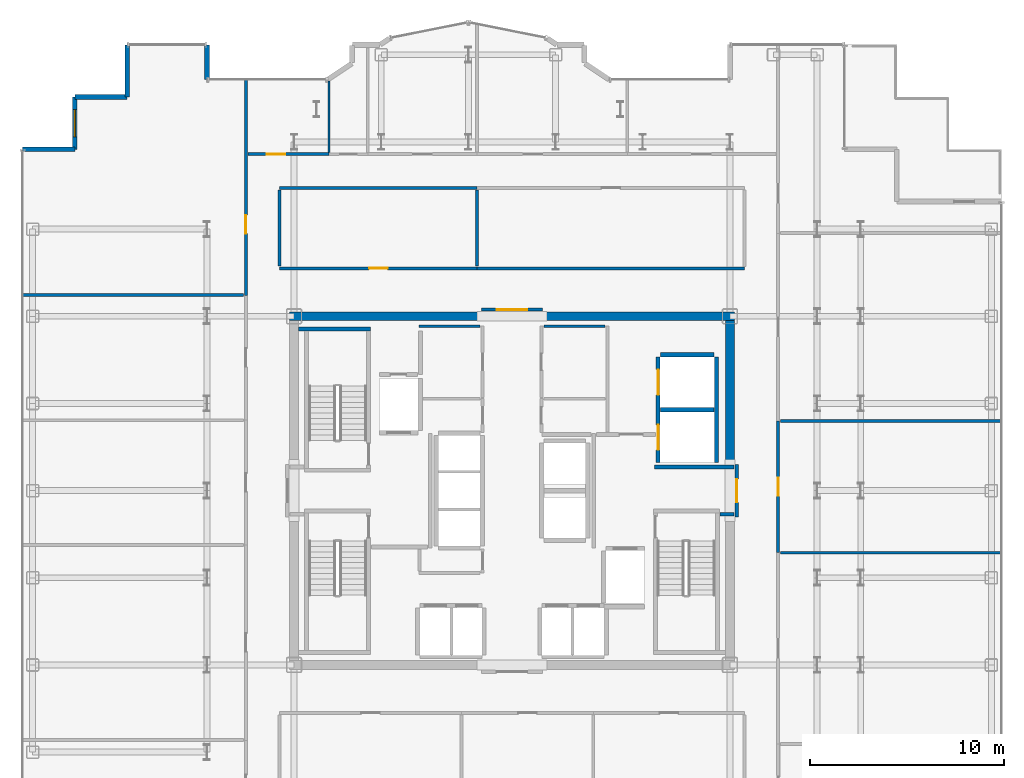
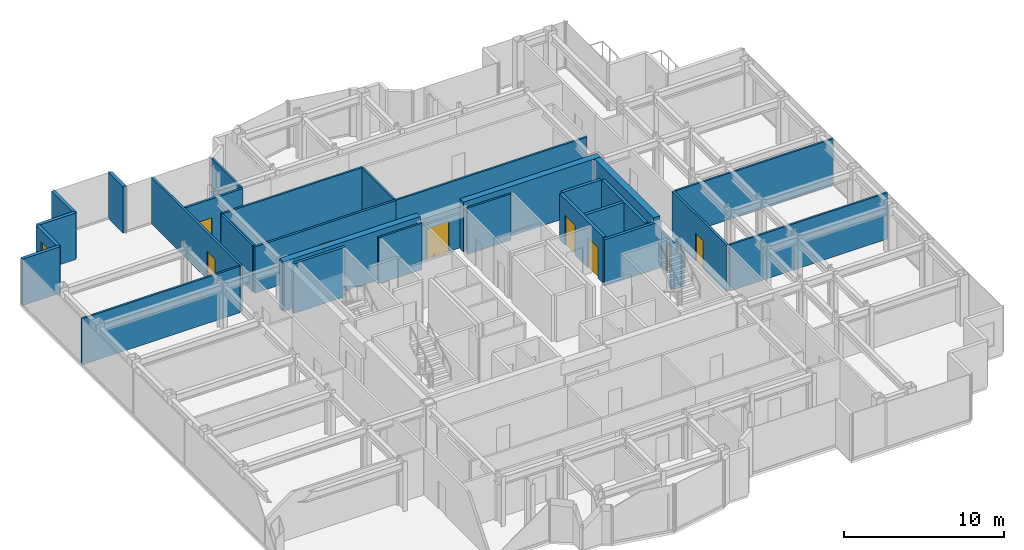
# One storey, part 17 of 20: 31 walls, 8 doors, 1 window, 9 openings.
"""IFC4 building model written with IfcOpenShell, lengths in metres."""

from ifc_helpers import new_model, si_unit, direction, frame, frame_2d, origin, place, context, subcontext, project, spatial, rectangle, extrude, source, transform, mapped, material, layer, layer_set, type_object, element, fill, save


model = new_model("IFC4")

# Units and contexts
model_context = context("Model", 3, precision=1e-05, world=origin(), true_north=direction((0.0, 1.0)))
body_context = subcontext(model_context, "Body", "Model", "MODEL_VIEW")
ifc_project = project(units=[si_unit("LENGTHUNIT", "METRE"), si_unit("AREAUNIT", "SQUARE_METRE"), si_unit("VOLUMEUNIT", "CUBIC_METRE"), si_unit("PLANEANGLEUNIT", "RADIAN"), si_unit("MASSUNIT", "GRAM", prefix="KILO")], contexts=[model_context])

# Site, building, storey
site_placement = place(None, origin())
site = spatial("IfcSite", under=ifc_project, at=site_placement, CompositionType="ELEMENT")
building_placement = place(site_placement, origin())
building = spatial("IfcBuilding", under=site, at=building_placement, Name="Nefas-Gora Pilgrimage Tower", CompositionType="ELEMENT")
storey_placement = place(building_placement, frame((0.0, 0.0, 221.800048828125)))
storey = spatial("IfcBuildingStorey", under=building, at=storey_placement, Name="L55", CompositionType="ELEMENT", Elevation=221.800048828125)

# Walls
ifc_material_1 = material(Name="Concrete C50/60", Category="concrete")
ifc_layer_1 = layer(ifc_material_1, 0.449951171875)
ifc_layer_set_1 = layer_set([ifc_layer_1], Name="Concrete C50/60")
wall_type_1 = type_object("IfcWallType", Name="SW-CORE-450", PredefinedType="SHEAR", material=ifc_layer_set_1)
shared_shape_1 = source(origin(), body_context, "Body", "SweptSolid", [
    extrude(rectangle(XDim=9.925048828125, YDim=0.449951171875, at=frame_2d((4.96240234375, 0.0))), origin(), (0.0, 0.0, 1.0), 3.800048828125),
])
for number, where, z_axis, x_axis, name in (
    (1, (-11.47509765625, 9.0, 0.0), (0.0, 0.0, 1.0), (1.0, 0.0, 0.0), "L55 Core Shear Wall N-West"),
    (2, (1.550048828125, 9.0, 0.0), (0.0, 0.0, 1.0), (1.0, 0.0, 0.0), "L55 Core Shear Wall N-East"),
):
    element("IfcWall", number, at=place(storey_placement, frame(where, z_axis=z_axis, x_axis=x_axis)), inside=storey, type_object=wall_type_1, Name=name, PredefinedType="SHEAR", context=body_context, shape_type="MappedRepresentation", body=[
        mapped(shared_shape_1, transform((0.0, 0.0, 0.0), x_axis=(1.0, 0.0, 0.0), y_axis=(0.0, 1.0, 0.0), z_axis=(0.0, 0.0, 1.0), scale=1.0)),
    ])
shared_shape_2 = source(origin(), body_context, "Body", "SweptSolid", [
    extrude(rectangle(XDim=7.4248046875, YDim=0.449951171875, at=frame_2d((3.71240234375, 0.0))), origin(), (0.0, 0.0, 1.0), 3.800048828125),
])
wall_1_placement = place(storey_placement, frame((11.25, 1.35009765625, 0.0), z_axis=(0.0, 0.0, 1.0), x_axis=(0.0, 1.0, 0.0)))
element("IfcWall", 3, at=wall_1_placement, inside=storey, type_object=wall_type_1, Name="L55 Core Shear Wall E-North", PredefinedType="SHEAR", context=body_context, shape_type="MappedRepresentation", body=[
    mapped(shared_shape_2, transform((0.0, 0.0, 0.0), x_axis=(1.0, 0.0, 0.0), y_axis=(0.0, 1.0, 0.0), z_axis=(0.0, 0.0, 1.0), scale=1.0)),
])
ifc_material_2 = material(Name="Precast concrete C40/50", Category="concrete")
ifc_layer_2 = layer(ifc_material_2, 0.260009765625)
ifc_layer_set_2 = layer_set([ifc_layer_2], Name="Precast concrete C40/50")
wall_type_2 = type_object("IfcWallType", Name="EW-PORTAL-260", PredefinedType="SOLIDWALL", material=ifc_layer_set_2)
shared_shape_3 = source(origin(), body_context, "Body", "SweptSolid", [
    extrude(rectangle(XDim=1.800048828125, YDim=0.260009765625, at=frame_2d((0.89990234375, 0.0))), origin(), (0.0, 0.0, 1.0), 3.550048828125),
])
wall_2_placement = place(storey_placement, frame((-15.75, 21.219970703125, 0.0), z_axis=(0.0, 0.0, 1.0), x_axis=(0.0, 1.0, 0.0)))
element("IfcWall", 4, at=wall_2_placement, inside=storey, type_object=wall_type_2, Name="L55 Lobe Shoulder Precast Spandrel Pier 18", PredefinedType="SOLIDWALL", context=body_context, shape_type="MappedRepresentation", body=[
    mapped(shared_shape_3, transform((0.0, 0.0, 0.0), x_axis=(1.0, 0.0, 0.0), y_axis=(0.0, 1.0, 0.0), z_axis=(0.0, 0.0, 1.0), scale=1.0)),
])
ifc_material_3 = material(Name="Precast concrete C45/55", Category="concrete")
ifc_layer_3 = layer(ifc_material_3, 0.239990234375)
ifc_layer_set_3 = layer_set([ifc_layer_3], Name="Precast concrete C45/55")
wall_type_3 = type_object("IfcWallType", Name="EW-SERR-240", PredefinedType="SHEAR", material=ifc_layer_set_3)
shared_shape_4 = source(origin(), body_context, "Body", "SweptSolid", [
    extrude(rectangle(XDim=2.699951171875, YDim=0.239990234375, at=frame_2d((1.35009765625, 0.0))), origin(), (0.0, 0.0, 1.0), 3.550048828125),
])
for number, where, z_axis, x_axis, name in (
    (5, (-19.8701171875, 23.02001953125, 0.0), (0.0, 0.0, 1.0), (0.0, -1.0, 0.0), "L55 Serrated Corner Shear Pier Wall 19"),
    (6, (-19.8701171875, 20.320068359375, 0.0), (0.0, 0.0, 1.0), (-1.0, 0.0, 0.0), "L55 Serrated Corner Shear Pier Wall 20"),
):
    element("IfcWall", number, at=place(storey_placement, frame(where, z_axis=z_axis, x_axis=x_axis)), inside=storey, type_object=wall_type_3, Name=name, PredefinedType="SHEAR", context=body_context, shape_type="MappedRepresentation", body=[
        mapped(shared_shape_4, transform((0.0, 0.0, 0.0), x_axis=(1.0, 0.0, 0.0), y_axis=(0.0, 1.0, 0.0), z_axis=(0.0, 0.0, 1.0), scale=1.0)),
    ])

# Wall, opening, window
wall_3_placement = place(storey_placement, frame((-22.570068359375, 20.320068359375, 0.0), z_axis=(0.0, 0.0, 1.0), x_axis=(0.0, -1.0, 0.0)))
wall_3 = element("IfcWall", 7, at=wall_3_placement, inside=storey, type_object=wall_type_3, Name="L55 Serrated Corner Shear Pier Wall 21", PredefinedType="SHEAR", context=body_context, shape_type="MappedRepresentation", body=[
    mapped(shared_shape_4, transform((0.0, 0.0, 0.0), x_axis=(1.0, 0.0, 0.0), y_axis=(0.0, 1.0, 0.0), z_axis=(0.0, 0.0, 1.0), scale=1.0)),
])
opening_1_placement = place(wall_3_placement, frame((0.64990234375, 0.0, 0.85009765625)))
opening_1 = element("IfcOpeningElement", 8, at=opening_1_placement, cuts=wall_3, Name="Opening W-V2", PredefinedType="OPENING", context=body_context, shape_type="SweptSolid", body=[
    extrude(rectangle(XDim=1.39990234375, YDim=1.800048828125, at=frame_2d((0.699951171875, 0.89990234375))), frame((0.0, 0.1298828125, 0.0), z_axis=(0.0, -1.0, 0.0), x_axis=(1.0, 0.0, 0.0)), (0.0, 0.0, 1.0), 0.260009765625),
])
ifc_material_4 = material(Name="Dark ceramic-fritted operable aluminium-glass window", Category="aluminium")
window_type = type_object("IfcWindowType", Name="WIN-VENT-1400x1800", PartitioningType="SINGLE_PANEL", PredefinedType="WINDOW", material=ifc_material_4)
shared_shape_5 = source(origin(), body_context, "Body", "SweptSolid", [
    extrude(rectangle(XDim=1.39990234375, YDim=1.800048828125, at=frame_2d((0.699951171875, 0.89990234375))), frame((0.0, 0.030029296875, 0.0), z_axis=(0.0, -1.0, 0.0), x_axis=(1.0, 0.0, 0.0)), (0.0, 0.0, 1.0), 0.06005859375),
])
window_placement = place(opening_1_placement, origin())
window = element("IfcWindow", 9, at=window_placement, inside=storey, type_object=window_type, Name="L55 Operable Parallel-Outswing Window 21", OverallHeight=1.800048828125, OverallWidth=1.39990234375, PartitioningType="SINGLE_PANEL", PredefinedType="WINDOW", context=body_context, shape_type="MappedRepresentation", body=[
    mapped(shared_shape_5, transform((0.0, 0.0, 0.0), x_axis=(1.0, 0.0, 0.0), y_axis=(0.0, 1.0, 0.0), z_axis=(0.0, 0.0, 1.0), scale=1.0)),
])
fill(opening_1, window)

# Walls
wall_4_placement = place(storey_placement, frame((-22.570068359375, 17.6201171875, 0.0), z_axis=(0.0, 0.0, 1.0), x_axis=(-1.0, 0.0, 0.0)))
element("IfcWall", 10, at=wall_4_placement, inside=storey, type_object=wall_type_3, Name="L55 Serrated Corner Shear Pier Wall 22", PredefinedType="SHEAR", context=body_context, shape_type="MappedRepresentation", body=[
    mapped(shared_shape_4, transform((0.0, 0.0, 0.0), x_axis=(1.0, 0.0, 0.0), y_axis=(0.0, 1.0, 0.0), z_axis=(0.0, 0.0, 1.0), scale=1.0)),
])
ifc_material_5 = material(Name="Concrete C45/55", Category="concrete")
ifc_layer_4 = layer(ifc_material_5, 0.199951171875)
ifc_layer_set_4 = layer_set([ifc_layer_4], Name="Concrete C45/55")
wall_type_4 = type_object("IfcWallType", Name="IW-STAIR-200", PredefinedType="SOLIDWALL", material=ifc_layer_set_4)
shared_shape_6 = source(origin(), body_context, "Body", "SweptSolid", [
    extrude(rectangle(XDim=3.72998046875, YDim=0.199951171875, at=frame_2d((1.864990234375, 0.0))), origin(), (0.0, 0.0, 1.0), 3.800048828125),
])
wall_5_placement = place(storey_placement, frame((-7.300048828125, 8.35009765625, 0.0), z_axis=(0.0, 0.0, 1.0), x_axis=(-1.0, 0.0, 0.0)))
element("IfcWall", 11, at=wall_5_placement, inside=storey, type_object=wall_type_4, Name="L55 Stairwell Shear Wall ST-01-far", PredefinedType="SOLIDWALL", context=body_context, shape_type="MappedRepresentation", body=[
    mapped(shared_shape_6, transform((0.0, 0.0, 0.0), x_axis=(1.0, 0.0, 0.0), y_axis=(0.0, 1.0, 0.0), z_axis=(0.0, 0.0, 1.0), scale=1.0)),
])

# Wall, openings, doors
ifc_material_6 = material(Name="Concrete C40/50", Category="concrete")
ifc_layer_5 = layer(ifc_material_6, 0.219970703125)
ifc_layer_set_5 = layer_set([ifc_layer_5], Name="Concrete C40/50")
wall_type_5 = type_object("IfcWallType", Name="IW-SHAFT-220", PredefinedType="SOLIDWALL", material=ifc_layer_set_5)
shared_shape_7 = source(origin(), body_context, "Body", "SweptSolid", [
    extrude(rectangle(XDim=5.449951171875, YDim=0.219970703125, at=frame_2d((2.72509765625, 0.0))), origin(), (0.0, 0.0, 1.0), 3.534912109375),
])
wall_6_placement = place(storey_placement, frame((7.5400390625, 6.89990234375, 0.0), z_axis=(0.0, 0.0, 1.0), x_axis=(0.0, -1.0, 0.0)))
wall_6 = element("IfcWall", 12, at=wall_6_placement, inside=storey, type_object=wall_type_5, Name="L55 Hoistway Wall SL-01-02-W", PredefinedType="SOLIDWALL", context=body_context, shape_type="MappedRepresentation", body=[
    mapped(shared_shape_7, transform((0.0, 0.0, 0.0), x_axis=(1.0, 0.0, 0.0), y_axis=(0.0, 1.0, 0.0), z_axis=(0.0, 0.0, 1.0), scale=1.0)),
])
opening_2_placement = place(wall_6_placement, frame((3.5, 0.0, 0.0)))
opening_2 = element("IfcOpeningElement", 13, at=opening_2_placement, cuts=wall_6, Name="Opening LD-SV", PredefinedType="OPENING", context=body_context, shape_type="SweptSolid", body=[
    extrude(rectangle(XDim=1.300048828125, YDim=2.300048828125, at=frame_2d((0.64990234375, 1.14990234375))), frame((0.0, 0.119873046875, 0.0), z_axis=(0.0, -1.0, 0.0), x_axis=(1.0, 0.0, 0.0)), (0.0, 0.0, 1.0), 0.239990234375),
])
opening_3_placement = place(wall_6_placement, frame((0.64990234375, 0.0, 0.0)))
opening_3 = element("IfcOpeningElement", 14, at=opening_3_placement, cuts=wall_6, Name="Opening LD-SV", PredefinedType="OPENING", context=body_context, shape_type="SweptSolid", body=[
    extrude(rectangle(XDim=1.300048828125, YDim=2.300048828125, at=frame_2d((0.64990234375, 1.14990234375))), frame((0.0, 0.119873046875, 0.0), z_axis=(0.0, -1.0, 0.0), x_axis=(1.0, 0.0, 0.0)), (0.0, 0.0, 1.0), 0.239990234375),
])
ifc_material_7 = material(Name="Heavy goods sliding lift landing door")
door_type_1 = type_object("IfcDoorType", Name="DR-LIFT-SERV-1300", OperationType="SLIDING_TO_RIGHT", PredefinedType="DOOR", material=ifc_material_7)
shared_shape_8 = source(origin(), body_context, "Body", "SweptSolid", [
    extrude(rectangle(XDim=1.300048828125, YDim=2.300048828125, at=frame_2d((0.64990234375, 1.14990234375))), frame((0.0, 0.02490234375, 0.0), z_axis=(0.0, -1.0, 0.0), x_axis=(1.0, 0.0, 0.0)), (0.0, 0.0, 1.0), 0.050048828125),
])
door_1_placement = place(opening_2_placement, origin())
door_1 = element("IfcDoor", 15, at=door_1_placement, inside=storey, type_object=door_type_1, Name="L55 Sliding Lift Landing Door SL-01", OperationType="SLIDING_TO_RIGHT", OverallHeight=2.300048828125, OverallWidth=1.300048828125, PredefinedType="DOOR", context=body_context, shape_type="MappedRepresentation", body=[
    mapped(shared_shape_8, transform((0.0, 0.0, 0.0), x_axis=(1.0, 0.0, 0.0), y_axis=(0.0, 1.0, 0.0), z_axis=(0.0, 0.0, 1.0), scale=1.0)),
])
fill(opening_2, door_1)
door_2_placement = place(opening_3_placement, origin())
door_2 = element("IfcDoor", 16, at=door_2_placement, inside=storey, type_object=door_type_1, Name="L55 Sliding Lift Landing Door SL-02", OperationType="SLIDING_TO_RIGHT", OverallHeight=2.300048828125, OverallWidth=1.300048828125, PredefinedType="DOOR", context=body_context, shape_type="MappedRepresentation", body=[
    mapped(shared_shape_8, transform((0.0, 0.0, 0.0), x_axis=(1.0, 0.0, 0.0), y_axis=(0.0, 1.0, 0.0), z_axis=(0.0, 0.0, 1.0), scale=1.0)),
])
fill(opening_3, door_2)

# Walls
wall_7_placement = place(storey_placement, frame((10.56005859375, 1.449951171875, 0.0), z_axis=(0.0, 0.0, 1.0), x_axis=(0.0, 1.0, 0.0)))
element("IfcWall", 17, at=wall_7_placement, inside=storey, type_object=wall_type_5, Name="L55 Hoistway Wall SL-01-02-E", PredefinedType="SOLIDWALL", context=body_context, shape_type="MappedRepresentation", body=[
    mapped(shared_shape_7, transform((0.0, 0.0, 0.0), x_axis=(1.0, 0.0, 0.0), y_axis=(0.0, 1.0, 0.0), z_axis=(0.0, 0.0, 1.0), scale=1.0)),
])
shared_shape_9 = source(origin(), body_context, "Body", "SweptSolid", [
    extrude(rectangle(XDim=2.780029296875, YDim=0.219970703125, at=frame_2d((1.39013671875, 0.0))), origin(), (0.0, 0.0, 1.0), 3.534912109375),
])
for number, where, z_axis, x_axis, name in (
    (18, (7.659912109375, 4.175048828125, 0.0), (0.0, 0.0, 1.0), (1.0, 0.0, 0.0), "L55 Hoistway Wall SL-01-02-DIV"),
    (19, (10.43994140625, 7.010009765625, 0.0), (0.0, 0.0, 1.0), (-1.0, 0.0, 0.0), "L55 Hoistway Wall SL-02-N"),
):
    element("IfcWall", number, at=place(storey_placement, frame(where, z_axis=z_axis, x_axis=x_axis)), inside=storey, type_object=wall_type_5, Name=name, PredefinedType="SOLIDWALL", context=body_context, shape_type="MappedRepresentation", body=[
        mapped(shared_shape_9, transform((0.0, 0.0, 0.0), x_axis=(1.0, 0.0, 0.0), y_axis=(0.0, 1.0, 0.0), z_axis=(0.0, 0.0, 1.0), scale=1.0)),
    ])
ifc_material_8 = material(Name="Gypsum fire-rated shaftwall")
ifc_layer_6 = layer(ifc_material_8, 0.199951171875)
ifc_layer_set_6 = layer_set([ifc_layer_6], Name="Gypsum fire-rated shaftwall")
wall_type_6 = type_object("IfcWallType", Name="IW-FFLOB-200", PredefinedType="PARTITIONING", material=ifc_layer_set_6)
shared_shape_10 = source(origin(), body_context, "Body", "SweptSolid", [
    extrude(rectangle(XDim=0.719970703125, YDim=0.199951171875, at=frame_2d((0.35986328125, 0.0))), origin(), (0.0, 0.0, 1.0), 3.534912109375),
])
wall_8_placement = place(storey_placement, frame((10.739990234375, -1.219970703125, 0.0), z_axis=(0.0, 0.0, 1.0), x_axis=(1.0, 0.0, 0.0)))
element("IfcWall", 20, at=wall_8_placement, inside=storey, type_object=wall_type_6, Name="L55 FF Lobby East Throat S Wall 14", PredefinedType="PARTITIONING", context=body_context, shape_type="MappedRepresentation", body=[
    mapped(shared_shape_10, transform((0.0, 0.0, 0.0), x_axis=(1.0, 0.0, 0.0), y_axis=(0.0, 1.0, 0.0), z_axis=(0.0, 0.0, 1.0), scale=1.0)),
])
shared_shape_11 = source(origin(), body_context, "Body", "SweptSolid", [
    extrude(rectangle(XDim=4.10986328125, YDim=0.199951171875, at=frame_2d((2.054931640625, 0.0))), origin(), (0.0, 0.0, 1.0), 3.534912109375),
])
wall_9_placement = place(storey_placement, frame((7.35009765625, 1.219970703125, 0.0), z_axis=(0.0, 0.0, 1.0), x_axis=(1.0, 0.0, 0.0)))
element("IfcWall", 21, at=wall_9_placement, inside=storey, type_object=wall_type_6, Name="L55 FF Lobby East Throat N Wall 13", PredefinedType="PARTITIONING", context=body_context, shape_type="MappedRepresentation", body=[
    mapped(shared_shape_11, transform((0.0, 0.0, 0.0), x_axis=(1.0, 0.0, 0.0), y_axis=(0.0, 1.0, 0.0), z_axis=(0.0, 0.0, 1.0), scale=1.0)),
])
ifc_material_9 = material(Name="Gypsum twin-stud partition")
ifc_layer_7 = layer(ifc_material_9, 0.139892578125)
ifc_layer_set_7 = layer_set([ifc_layer_7], Name="Gypsum twin-stud partition")
wall_type_7 = type_object("IfcWallType", Name="IW-UNIT-140", PredefinedType="PARTITIONING", material=ifc_layer_set_7)
shared_shape_12 = source(origin(), body_context, "Body", "SweptSolid", [
    extrude(rectangle(XDim=3.150146484375, YDim=0.139892578125, at=frame_2d((1.5751953125, 0.0))), origin(), (0.0, 0.0, 1.0), 3.534912109375),
])
for number, where, z_axis, x_axis, name in (
    (22, (-4.7900390625, 8.47998046875, 0.0), (0.0, 0.0, 1.0), (1.0, 0.0, 0.0), "L55 Archival Supply Store Partition Wall 21"),
    (23, (1.639892578125, 8.47998046875, 0.0), (0.0, 0.0, 1.0), (1.0, 0.0, 0.0), "L55 Amenity Supply Store Partition Wall 25"),
):
    element("IfcWall", number, at=place(storey_placement, frame(where, z_axis=z_axis, x_axis=x_axis)), inside=storey, type_object=wall_type_7, Name=name, PredefinedType="PARTITIONING", context=body_context, shape_type="MappedRepresentation", body=[
        mapped(shared_shape_12, transform((0.0, 0.0, 0.0), x_axis=(1.0, 0.0, 0.0), y_axis=(0.0, 1.0, 0.0), z_axis=(0.0, 0.0, 1.0), scale=1.0)),
    ])

# Wall, opening, door
ifc_material_10 = material(Name="Gypsum acoustic stud partition")
ifc_layer_8 = layer(ifc_material_10, 0.159912109375)
ifc_layer_set_8 = layer_set([ifc_layer_8], Name="Gypsum acoustic stud partition")
wall_type_8 = type_object("IfcWallType", Name="IW-CORR-160", PredefinedType="PARTITIONING", material=ifc_layer_set_8)
shared_shape_13 = source(origin(), body_context, "Body", "SweptSolid", [
    extrude(rectangle(XDim=11.152587890625, YDim=0.159912109375, at=frame_2d((5.576171875, 0.0))), origin(), (0.0, 0.0, 1.0), 3.534912109375),
])
wall_10_placement = place(storey_placement, frame((-13.739990234375, 10.08740234375, 0.0), z_axis=(0.0, 0.0, 1.0), x_axis=(0.0, 1.0, 0.0)))
wall_10 = element("IfcWall", 24, at=wall_10_placement, inside=storey, type_object=wall_type_8, Name="L55 Pilgrim Floor Concierge Foyer Partition Wall 36", PredefinedType="PARTITIONING", context=body_context, shape_type="MappedRepresentation", body=[
    mapped(shared_shape_13, transform((0.0, 0.0, 0.0), x_axis=(1.0, 0.0, 0.0), y_axis=(0.0, 1.0, 0.0), z_axis=(0.0, 0.0, 1.0), scale=1.0)),
])
opening_4_placement = place(wall_10_placement, frame((3.186279296875, 0.0, 0.0)))
opening_4 = element("IfcOpeningElement", 25, at=opening_4_placement, cuts=wall_10, Name="Opening ID-GR1", PredefinedType="OPENING", context=body_context, shape_type="SweptSolid", body=[
    extrude(rectangle(XDim=0.949951171875, YDim=2.10009765625, at=frame_2d((0.47509765625, 1.050048828125))), frame((0.0, 0.08984375, 0.0), z_axis=(0.0, -1.0, 0.0), x_axis=(1.0, 0.0, 0.0)), (0.0, 0.0, 1.0), 0.179931640625),
])
ifc_material_11 = material(Name="Solid core oak fire-rated guest entrance door")
door_type_2 = type_object("IfcDoorType", Name="DR-INT-GUEST-950", OperationType="NOTDEFINED", PredefinedType="DOOR", material=ifc_material_11)
shared_shape_14 = source(origin(), body_context, "Body", "SweptSolid", [
    extrude(rectangle(XDim=0.949951171875, YDim=2.10009765625, at=frame_2d((0.47509765625, 1.050048828125))), frame((0.0, 0.02490234375, 0.0), z_axis=(0.0, -1.0, 0.0), x_axis=(1.0, 0.0, 0.0)), (0.0, 0.0, 1.0), 0.050048828125),
])
door_3_placement = place(opening_4_placement, origin())
door_3 = element("IfcDoor", 26, at=door_3_placement, inside=storey, type_object=door_type_2, Name="L55 Pilgrim Floor Concierge Foyer Door 15", OperationType="SINGLE_SWING_LEFT", OverallHeight=2.10009765625, OverallWidth=0.949951171875, PredefinedType="DOOR", context=body_context, shape_type="MappedRepresentation", body=[
    mapped(shared_shape_14, transform((0.0, 0.0, 0.0), x_axis=(1.0, 0.0, 0.0), y_axis=(0.0, 1.0, 0.0), z_axis=(0.0, 0.0, 1.0), scale=1.0)),
])
fill(opening_4, door_3)

shared_shape_15 = source(origin(), body_context, "Body", "SweptSolid", [
    extrude(rectangle(XDim=6.81005859375, YDim=0.159912109375, at=frame_2d((3.405029296875, 0.0))), origin(), (0.0, 0.0, 1.0), 3.534912109375),
])
wall_11_placement = place(storey_placement, frame((13.739990234375, -3.205078125, 0.0), z_axis=(0.0, 0.0, 1.0), x_axis=(0.0, 1.0, 0.0)))
wall_11 = element("IfcWall", 27, at=wall_11_placement, inside=storey, type_object=wall_type_8, Name="L55 Pilgrim Fellowship Seminar Room Partition Wall 45", PredefinedType="PARTITIONING", context=body_context, shape_type="MappedRepresentation", body=[
    mapped(shared_shape_15, transform((0.0, 0.0, 0.0), x_axis=(1.0, 0.0, 0.0), y_axis=(0.0, 1.0, 0.0), z_axis=(0.0, 0.0, 1.0), scale=1.0)),
])
opening_5_placement = place(wall_11_placement, frame((2.929931640625, 0.0, 0.0)))
opening_5 = element("IfcOpeningElement", 28, at=opening_5_placement, cuts=wall_11, Name="Opening ID-GR1", PredefinedType="OPENING", context=body_context, shape_type="SweptSolid", body=[
    extrude(rectangle(XDim=0.949951171875, YDim=2.10009765625, at=frame_2d((0.47509765625, 1.050048828125))), frame((0.0, 0.08984375, 0.0), z_axis=(0.0, -1.0, 0.0), x_axis=(1.0, 0.0, 0.0)), (0.0, 0.0, 1.0), 0.179931640625),
])
door_4_placement = place(opening_5_placement, origin())
door_4 = element("IfcDoor", 29, at=door_4_placement, inside=storey, type_object=door_type_2, Name="L55 Pilgrim Fellowship Seminar Room Door 20", OperationType="SINGLE_SWING_RIGHT", OverallHeight=2.10009765625, OverallWidth=0.949951171875, PredefinedType="DOOR", context=body_context, shape_type="MappedRepresentation", body=[
    mapped(shared_shape_14, transform((0.0, 0.0, 0.0), x_axis=(1.0, 0.0, 0.0), y_axis=(0.0, 1.0, 0.0), z_axis=(0.0, 0.0, 1.0), scale=1.0)),
])
fill(opening_5, door_4)

# Walls
ifc_material_12 = material(Name="Moisture-resistant fire-rated gypsum partition")
ifc_layer_9 = layer(ifc_material_12, 0.1201171875)
ifc_layer_set_9 = layer_set([ifc_layer_9], Name="Moisture-resistant fire-rated gypsum partition")
wall_type_9 = type_object("IfcWallType", Name="IW-WET-120", PredefinedType="PLUMBINGWALL", material=ifc_layer_set_9)
shared_shape_16 = source(origin(), body_context, "Body", "SweptSolid", [
    extrude(rectangle(XDim=3.686767578125, YDim=0.1201171875, at=frame_2d((1.84326171875, 0.0))), origin(), (0.0, 0.0, 1.0), 3.534912109375),
])
wall_12_placement = place(storey_placement, frame((-9.449951171875, 17.469970703125, 0.0), z_axis=(0.0, 0.0, 1.0), x_axis=(0.0, 1.0, 0.0)))
element("IfcWall", 30, at=wall_12_placement, inside=storey, type_object=wall_type_9, Name="L55 Accessible Unisex WC Partition Wall 31", PredefinedType="PLUMBINGWALL", context=body_context, shape_type="MappedRepresentation", body=[
    mapped(shared_shape_16, transform((0.0, 0.0, 0.0), x_axis=(1.0, 0.0, 0.0), y_axis=(0.0, 1.0, 0.0), z_axis=(0.0, 0.0, 1.0), scale=1.0)),
])
shared_shape_17 = source(origin(), body_context, "Body", "SweptSolid", [
    extrude(rectangle(XDim=11.429931640625, YDim=0.139892578125, at=frame_2d((5.71484375, 0.0))), origin(), (0.0, 0.0, 1.0), 3.534912109375),
])
for number, where, z_axis, x_axis, name in (
    (31, (-25.2900390625, 10.097412109375, 0.0), (0.0, 0.0, 1.0), (1.0, 0.0, 0.0), "L55 Pilgrim Floor Concierge Foyer Partition Wall 37"),
    (32, (13.860107421875, -3.205078125, 0.0), (0.0, 0.0, 1.0), (1.0, 0.0, 0.0), "L55 Pilgrim Fellowship Seminar Room Partition Wall 43"),
    (33, (13.860107421875, 3.594970703125, 0.0), (0.0, 0.0, 1.0), (1.0, 0.0, 0.0), "L55 Pilgrim Fellowship Seminar Room Partition Wall 46"),
):
    element("IfcWall", number, at=place(storey_placement, frame(where, z_axis=z_axis, x_axis=x_axis)), inside=storey, type_object=wall_type_7, Name=name, PredefinedType="PARTITIONING", context=body_context, shape_type="MappedRepresentation", body=[
        mapped(shared_shape_17, transform((0.0, 0.0, 0.0), x_axis=(1.0, 0.0, 0.0), y_axis=(0.0, 1.0, 0.0), z_axis=(0.0, 0.0, 1.0), scale=1.0)),
    ])
shared_shape_18 = source(origin(), body_context, "Body", "SweptSolid", [
    extrude(rectangle(XDim=3.929931640625, YDim=0.139892578125, at=frame_2d((1.96484375, 0.0))), origin(), (0.0, 0.0, 1.0), 3.534912109375),
])
for number, where, z_axis, x_axis, name in (
    (34, (-12.0, 11.590087890625, 0.0), (0.0, 0.0, 1.0), (0.0, 1.0, 0.0), "L55 Pastoral Chaplains Counselling Office Partition Wall 52"),
    (35, (-1.804931640625, 11.590087890625, 0.0), (0.0, 0.0, 1.0), (0.0, 1.0, 0.0), "L55 Pastoral Chaplains Counselling Office Partition Wall 53"),
):
    element("IfcWall", number, at=place(storey_placement, frame(where, z_axis=z_axis, x_axis=x_axis)), inside=storey, type_object=wall_type_7, Name=name, PredefinedType="PARTITIONING", context=body_context, shape_type="MappedRepresentation", body=[
        mapped(shared_shape_18, transform((0.0, 0.0, 0.0), x_axis=(1.0, 0.0, 0.0), y_axis=(0.0, 1.0, 0.0), z_axis=(0.0, 0.0, 1.0), scale=1.0)),
    ])

# Wall, opening, door
shared_shape_19 = source(origin(), body_context, "Body", "SweptSolid", [
    extrude(rectangle(XDim=4.16015625, YDim=0.159912109375, at=frame_2d((2.080078125, 0.0))), origin(), (0.0, 0.0, 1.0), 3.534912109375),
])
wall_13_placement = place(storey_placement, frame((-13.6201171875, 17.3701171875, 0.0), z_axis=(0.0, 0.0, 1.0), x_axis=(1.0, 0.0, 0.0)))
wall_13 = element("IfcWall", 36, at=wall_13_placement, inside=storey, type_object=wall_type_8, Name="L55 Pilgrim Contemplative Lounge Partition Wall 56", PredefinedType="PARTITIONING", context=body_context, shape_type="MappedRepresentation", body=[
    mapped(shared_shape_19, transform((0.0, 0.0, 0.0), x_axis=(1.0, 0.0, 0.0), y_axis=(0.0, 1.0, 0.0), z_axis=(0.0, 0.0, 1.0), scale=1.0)),
])
opening_6_placement = place(wall_13_placement, frame((0.968994140625, 0.0, 0.0)))
opening_6 = element("IfcOpeningElement", 37, at=opening_6_placement, cuts=wall_13, Name="Opening ID-GR1", PredefinedType="OPENING", context=body_context, shape_type="SweptSolid", body=[
    extrude(rectangle(XDim=0.949951171875, YDim=2.10009765625, at=frame_2d((0.47509765625, 1.050048828125))), frame((0.0, 0.08984375, 0.0), z_axis=(0.0, -1.0, 0.0), x_axis=(1.0, 0.0, 0.0)), (0.0, 0.0, 1.0), 0.179931640625),
])
door_5_placement = place(opening_6_placement, origin())
door_5 = element("IfcDoor", 38, at=door_5_placement, inside=storey, type_object=door_type_2, Name="L55 Pilgrim Contemplative Lounge Door 25", OperationType="SINGLE_SWING_LEFT", OverallHeight=2.10009765625, OverallWidth=0.949951171875, PredefinedType="DOOR", context=body_context, shape_type="MappedRepresentation", body=[
    mapped(shared_shape_14, transform((0.0, 0.0, 0.0), x_axis=(1.0, 0.0, 0.0), y_axis=(0.0, 1.0, 0.0), z_axis=(0.0, 0.0, 1.0), scale=1.0)),
])
fill(opening_6, door_5)

# Wall
shared_shape_20 = source(origin(), body_context, "Body", "SweptSolid", [
    extrude(rectangle(XDim=13.81494140625, YDim=0.139892578125, at=frame_2d((6.907470703125, 0.0))), origin(), (0.0, 0.0, 1.0), 3.534912109375),
])
wall_14_placement = place(storey_placement, frame((-1.804931640625, 11.469970703125, 0.0), z_axis=(0.0, 0.0, 1.0), x_axis=(1.0, 0.0, 0.0)))
element("IfcWall", 39, at=wall_14_placement, inside=storey, type_object=wall_type_7, Name="L55 Pilgrim Contemplative Lounge Partition Wall 61", PredefinedType="PARTITIONING", context=body_context, shape_type="MappedRepresentation", body=[
    mapped(shared_shape_20, transform((0.0, 0.0, 0.0), x_axis=(1.0, 0.0, 0.0), y_axis=(0.0, 1.0, 0.0), z_axis=(0.0, 0.0, 1.0), scale=1.0)),
])

# Wall, opening, door
shared_shape_21 = source(origin(), body_context, "Body", "SweptSolid", [
    extrude(rectangle(XDim=2.7001953125, YDim=0.199951171875, at=frame_2d((1.35009765625, 0.0))), origin(), (0.0, 0.0, 1.0), 2.625),
])
wall_15_placement = place(storey_placement, frame((11.60009765625, -1.35009765625, 0.0), z_axis=(0.0, 0.0, 1.0), x_axis=(0.0, 1.0, 0.0)))
wall_15 = element("IfcWall", 40, at=wall_15_placement, inside=storey, type_object=wall_type_6, Name="L55 FF Lobby East Portal Wall 9", PredefinedType="PARTITIONING", context=body_context, shape_type="MappedRepresentation", body=[
    mapped(shared_shape_21, transform((0.0, 0.0, 0.0), x_axis=(1.0, 0.0, 0.0), y_axis=(0.0, 1.0, 0.0), z_axis=(0.0, 0.0, 1.0), scale=1.0)),
])
opening_7_placement = place(wall_15_placement, frame((0.75, 0.0, 0.0)))
opening_7 = element("IfcOpeningElement", 41, at=opening_7_placement, cuts=wall_15, Name="Opening ID-FF1", PredefinedType="OPENING", context=body_context, shape_type="SweptSolid", body=[
    extrude(rectangle(XDim=1.199951171875, YDim=2.14990234375, at=frame_2d((0.60009765625, 1.074951171875))), frame((0.0, 0.10986328125, 0.0), z_axis=(0.0, -1.0, 0.0), x_axis=(1.0, 0.0, 0.0)), (0.0, 0.0, 1.0), 0.219970703125),
])
ifc_material_13 = material(Name="Smoke-sealed steel firefighting lobby door", Category="steel")
door_type_3 = type_object("IfcDoorType", Name="DR-INT-FFLOB-1200", OperationType="NOTDEFINED", PredefinedType="DOOR", material=ifc_material_13)
shared_shape_22 = source(origin(), body_context, "Body", "SweptSolid", [
    extrude(rectangle(XDim=1.199951171875, YDim=2.14990234375, at=frame_2d((0.60009765625, 1.074951171875))), frame((0.0, 0.02490234375, 0.0), z_axis=(0.0, -1.0, 0.0), x_axis=(1.0, 0.0, 0.0)), (0.0, 0.0, 1.0), 0.050048828125),
])
door_6_placement = place(opening_7_placement, origin())
door_6 = element("IfcDoor", 42, at=door_6_placement, inside=storey, type_object=door_type_3, Name="L55 FF Lobby East Portal Door 3", OperationType="SINGLE_SWING_LEFT", OverallHeight=2.14990234375, OverallWidth=1.199951171875, PredefinedType="DOOR", context=body_context, shape_type="MappedRepresentation", body=[
    mapped(shared_shape_22, transform((0.0, 0.0, 0.0), x_axis=(1.0, 0.0, 0.0), y_axis=(0.0, 1.0, 0.0), z_axis=(0.0, 0.0, 1.0), scale=1.0)),
])
fill(opening_7, door_6)

shared_shape_23 = source(origin(), body_context, "Body", "SweptSolid", [
    extrude(rectangle(XDim=3.16015625, YDim=0.159912109375, at=frame_2d((1.580078125, 0.0))), origin(), (0.0, 0.0, 1.0), 2.625),
])
wall_16_placement = place(storey_placement, frame((-1.580078125, 9.35009765625, 0.0), z_axis=(0.0, 0.0, 1.0), x_axis=(1.0, 0.0, 0.0)))
wall_16 = element("IfcWall", 43, at=wall_16_placement, inside=storey, type_object=wall_type_8, Name="L55 Central Lift Lobby North Portal Wall 15", PredefinedType="PARTITIONING", context=body_context, shape_type="MappedRepresentation", body=[
    mapped(shared_shape_23, transform((0.0, 0.0, 0.0), x_axis=(1.0, 0.0, 0.0), y_axis=(0.0, 1.0, 0.0), z_axis=(0.0, 0.0, 1.0), scale=1.0)),
])
opening_8_placement = place(wall_16_placement, frame((0.780029296875, 0.0, 0.0)))
opening_8 = element("IfcOpeningElement", 44, at=opening_8_placement, cuts=wall_16, Name="Opening ID-HL1", PredefinedType="OPENING", context=body_context, shape_type="SweptSolid", body=[
    extrude(rectangle(XDim=1.60009765625, YDim=2.300048828125, at=frame_2d((0.800048828125, 1.14990234375))), frame((0.0, 0.08984375, 0.0), z_axis=(0.0, -1.0, 0.0), x_axis=(1.0, 0.0, 0.0)), (0.0, 0.0, 1.0), 0.179931640625),
])
ifc_material_14 = material(Name="Double acoustic timber assembly hall door", Category="wood")
door_type_4 = type_object("IfcDoorType", Name="DR-INT-HALL-1600", OperationType="DOUBLE_DOOR_SINGLE_SWING", PredefinedType="DOOR", material=ifc_material_14)
shared_shape_24 = source(origin(), body_context, "Body", "SweptSolid", [
    extrude(rectangle(XDim=1.60009765625, YDim=2.300048828125, at=frame_2d((0.800048828125, 1.14990234375))), frame((0.0, 0.02490234375, 0.0), z_axis=(0.0, -1.0, 0.0), x_axis=(1.0, 0.0, 0.0)), (0.0, 0.0, 1.0), 0.050048828125),
])
door_7_placement = place(opening_8_placement, origin())
door_7 = element("IfcDoor", 45, at=door_7_placement, inside=storey, type_object=door_type_4, Name="L55 Central Lift Lobby North Portal Door 5", OperationType="DOUBLE_DOOR_SINGLE_SWING", OverallHeight=2.300048828125, OverallWidth=1.60009765625, PredefinedType="DOOR", context=body_context, shape_type="MappedRepresentation", body=[
    mapped(shared_shape_24, transform((0.0, 0.0, 0.0), x_axis=(1.0, 0.0, 0.0), y_axis=(0.0, 1.0, 0.0), z_axis=(0.0, 0.0, 1.0), scale=1.0)),
])
fill(opening_8, door_7)

shared_shape_25 = source(origin(), body_context, "Body", "SweptSolid", [
    extrude(rectangle(XDim=10.215087890625, YDim=0.159912109375, at=frame_2d((5.107421875, 0.0))), origin(), (0.0, 0.0, 1.0), 3.534912109375),
])
wall_17_placement = place(storey_placement, frame((-12.010009765625, 11.469970703125, 0.0), z_axis=(0.0, 0.0, 1.0), x_axis=(1.0, 0.0, 0.0)))
wall_17 = element("IfcWall", 46, at=wall_17_placement, inside=storey, type_object=wall_type_8, Name="L55 Pastoral Chaplains Counselling Office Partition Wall 50", PredefinedType="PARTITIONING", context=body_context, shape_type="MappedRepresentation", body=[
    mapped(shared_shape_25, transform((0.0, 0.0, 0.0), x_axis=(1.0, 0.0, 0.0), y_axis=(0.0, 1.0, 0.0), z_axis=(0.0, 0.0, 1.0), scale=1.0)),
])
opening_9_placement = place(wall_17_placement, frame((4.632568359375, 0.0, 0.0)))
opening_9 = element("IfcOpeningElement", 47, at=opening_9_placement, cuts=wall_17, Name="Opening ID-GR1", PredefinedType="OPENING", context=body_context, shape_type="SweptSolid", body=[
    extrude(rectangle(XDim=0.949951171875, YDim=2.10009765625, at=frame_2d((0.47509765625, 1.050048828125))), frame((0.0, 0.08984375, 0.0), z_axis=(0.0, -1.0, 0.0), x_axis=(1.0, 0.0, 0.0)), (0.0, 0.0, 1.0), 0.179931640625),
])
door_8_placement = place(opening_9_placement, origin())
door_8 = element("IfcDoor", 48, at=door_8_placement, inside=storey, type_object=door_type_2, Name="L55 Pastoral Chaplains Counselling Office Door 23", OperationType="SINGLE_SWING_LEFT", OverallHeight=2.10009765625, OverallWidth=0.949951171875, PredefinedType="DOOR", context=body_context, shape_type="MappedRepresentation", body=[
    mapped(shared_shape_14, transform((0.0, 0.0, 0.0), x_axis=(1.0, 0.0, 0.0), y_axis=(0.0, 1.0, 0.0), z_axis=(0.0, 0.0, 1.0), scale=1.0)),
])
fill(opening_9, door_8)

# Wall
shared_shape_26 = source(origin(), body_context, "Body", "SweptSolid", [
    extrude(rectangle(XDim=10.215087890625, YDim=0.139892578125, at=frame_2d((5.107421875, 0.0))), origin(), (0.0, 0.0, 1.0), 3.534912109375),
])
wall_18_placement = place(storey_placement, frame((-12.010009765625, 15.6298828125, 0.0), z_axis=(0.0, 0.0, 1.0), x_axis=(1.0, 0.0, 0.0)))
element("IfcWall", 49, at=wall_18_placement, inside=storey, type_object=wall_type_7, Name="L55 Pastoral Chaplains Counselling Office Partition Wall 51", PredefinedType="PARTITIONING", context=body_context, shape_type="MappedRepresentation", body=[
    mapped(shared_shape_26, transform((0.0, 0.0, 0.0), x_axis=(1.0, 0.0, 0.0), y_axis=(0.0, 1.0, 0.0), z_axis=(0.0, 0.0, 1.0), scale=1.0)),
])

save(model, "model.ifc")
